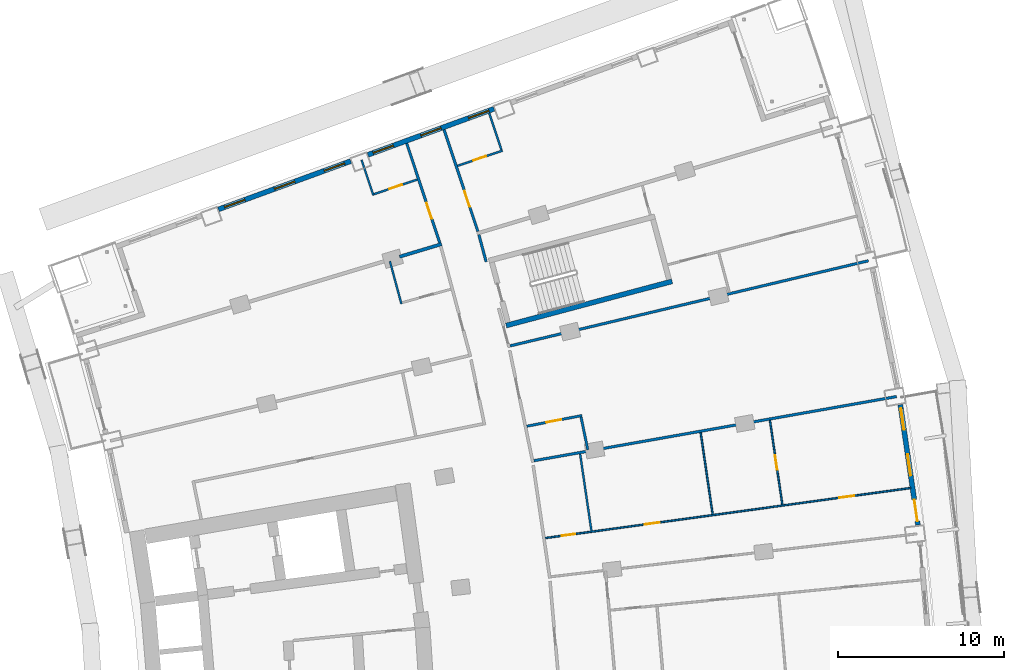
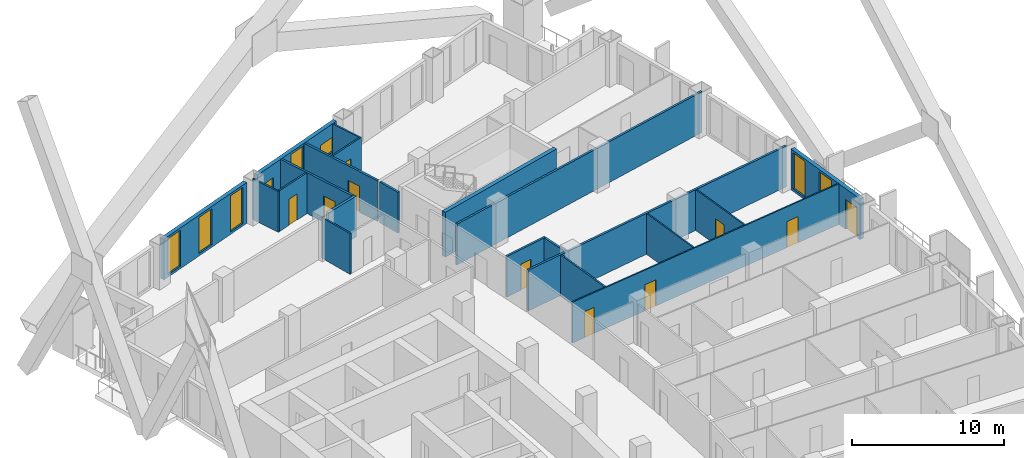
# One storey, part 20 of 25: 21 walls, 10 doors, 8 windows, 18 openings.
"""IFC4 building model written with IfcOpenShell, lengths in metres."""

from ifc_helpers import new_model, si_unit, direction, frame, frame_2d, origin, place, context, subcontext, project, spatial, rectangle, extrude, material, layer, layer_set, type_object, element, fill, save


model = new_model("IFC4")

# Units and contexts
model_context = context("Model", 3, precision=1e-05, world=origin(), true_north=direction((0.0, 1.0)))
body_context = subcontext(model_context, "Body", "Model", "MODEL_VIEW")
ifc_project = project(units=[si_unit("LENGTHUNIT", "METRE"), si_unit("AREAUNIT", "SQUARE_METRE"), si_unit("VOLUMEUNIT", "CUBIC_METRE"), si_unit("PLANEANGLEUNIT", "RADIAN"), si_unit("MASSUNIT", "GRAM", prefix="KILO")], contexts=[model_context])

# Site, building, storey
site_placement = place(None, origin())
site = spatial("IfcSite", under=ifc_project, at=site_placement, CompositionType="ELEMENT")
building_placement = place(site_placement, origin())
building = spatial("IfcBuilding", under=site, at=building_placement, Name="Alderwake Tower", CompositionType="ELEMENT")
storey_placement = place(building_placement, frame((0.0, 0.0, 32.0)))
storey = spatial("IfcBuildingStorey", under=building, at=storey_placement, Name="L06", CompositionType="ELEMENT", Elevation=32.0)

# Wall
ifc_material_1 = material(Name="Concrete C70/85", Category="concrete")
ifc_layer_1 = layer(ifc_material_1, 0.300048828125)
ifc_layer_set_1 = layer_set([ifc_layer_1], Name="Core wall stair enclosure 300 C70-85")
wall_type_1 = type_object("IfcWallType", Name="Core wall stair enclosure 300 C70-85", PredefinedType="SHEAR", material=ifc_layer_set_1)
wall_1_placement = place(storey_placement, frame((37.75390625, 90.268798828125, 0.0), z_axis=(0.0, 0.0, 1.0), x_axis=(0.966309214305, 0.257383958996, 0.0)))
element("IfcWall", 1, at=wall_1_placement, inside=storey, type_object=wall_type_1, Name="Core wall CW.084", PredefinedType="SHEAR", context=body_context, shape_type="SweptSolid", body=[
    extrude(rectangle(XDim=10.360107421875, YDim=0.300048828125, at=frame_2d((5.18017578125, 0.0))), origin(), (0.0, 0.0, 1.0), 3.60009765625),
])

# Wall, opening, door
ifc_material_2 = material(Name="Gypsum board on metal studs, rated")
ifc_layer_2 = layer(ifc_material_2, 0.159912109375)
ifc_layer_set_2 = layer_set([ifc_layer_2], Name="Corridor wall 160")
wall_type_2 = type_object("IfcWallType", Name="Corridor wall 160", PredefinedType="PARTITIONING", material=ifc_layer_set_2)
wall_2_placement = place(storey_placement, frame((33.75146484375, 95.2548828125, 0.0), z_axis=(0.0, 0.0, 1.0), x_axis=(-0.315406156735, 0.948956772616, 0.0)))
wall_2 = element("IfcWall", 2, at=wall_2_placement, inside=storey, type_object=wall_type_2, Name="WL/L06/W20", PredefinedType="PARTITIONING", context=body_context, shape_type="SweptSolid", body=[
    extrude(rectangle(XDim=6.330078125, YDim=0.159912109375, at=frame_2d((3.1650390625, 0.0))), origin(), (0.0, 0.0, 1.0), 3.280029296875),
])
opening_1_placement = place(wall_2_placement, frame((1.529052734375, 0.0, 0.0)))
opening_1 = element("IfcOpeningElement", 3, at=opening_1_placement, cuts=wall_2, Name="Opening R01-U13.1", PredefinedType="OPENING", context=body_context, shape_type="SweptSolid", body=[
    extrude(rectangle(XDim=1.0, YDim=2.10009765625, at=frame_2d((0.5, 1.050048828125))), frame((0.0, 0.08984375, 0.0), z_axis=(0.0, -1.0, 0.0), x_axis=(1.0, 0.0, 0.0)), (0.0, 0.0, 1.0), 0.179931640625),
])
ifc_material_3 = material(Name="Solid timber leaf in steel frame", Category="steel")
door_type_1 = type_object("IfcDoorType", Name="Flat entrance door 1000 fire-rated", OperationType="SINGLE_SWING_LEFT", PredefinedType="DOOR", material=ifc_material_3)
door_1_placement = place(opening_1_placement, origin())
door_1 = element("IfcDoor", 4, at=door_1_placement, inside=storey, type_object=door_type_1, Name="DR/L06/U13.1", OperationType="SINGLE_SWING_LEFT", OverallHeight=2.10009765625, OverallWidth=1.0, PredefinedType="DOOR", context=body_context, shape_type="SweptSolid", body=[
    extrude(rectangle(XDim=1.0, YDim=2.10009765625, at=frame_2d((0.5, 1.050048828125))), frame((0.0, 0.02490234375, 0.0), z_axis=(0.0, -1.0, 0.0), x_axis=(1.0, 0.0, 0.0)), (0.0, 0.0, 1.0), 0.050048828125),
])
fill(opening_1, door_1)

wall_3_placement = place(storey_placement, frame((34.010986328125, 102.083984375, 0.0), z_axis=(0.0, 0.0, 1.0), x_axis=(0.315140606423, -0.949044992708, 0.0)))
wall_3 = element("IfcWall", 5, at=wall_3_placement, inside=storey, type_object=wall_type_2, Name="WL/L06/W28", PredefinedType="PARTITIONING", context=body_context, shape_type="SweptSolid", body=[
    extrude(rectangle(XDim=6.46875, YDim=0.159912109375, at=frame_2d((3.234375, 0.0))), origin(), (0.0, 0.0, 1.0), 3.280029296875),
])
opening_2_placement = place(wall_3_placement, frame((3.897705078125, 0.0, 0.0)))
opening_2 = element("IfcOpeningElement", 6, at=opening_2_placement, cuts=wall_3, Name="Opening R01-U04.1", PredefinedType="OPENING", context=body_context, shape_type="SweptSolid", body=[
    extrude(rectangle(XDim=1.0, YDim=2.10009765625, at=frame_2d((0.5, 1.050048828125))), frame((0.0, 0.08984375, 0.0), z_axis=(0.0, -1.0, 0.0), x_axis=(1.0, 0.0, 0.0)), (0.0, 0.0, 1.0), 0.179931640625),
])
door_2_placement = place(opening_2_placement, origin())
door_2 = element("IfcDoor", 7, at=door_2_placement, inside=storey, type_object=door_type_1, Name="DR/L06/U04.1", OperationType="SINGLE_SWING_LEFT", OverallHeight=2.10009765625, OverallWidth=1.0, PredefinedType="DOOR", context=body_context, shape_type="SweptSolid", body=[
    extrude(rectangle(XDim=1.0, YDim=2.10009765625, at=frame_2d((0.5, 1.050048828125))), frame((0.0, 0.02490234375, 0.0), z_axis=(0.0, -1.0, 0.0), x_axis=(1.0, 0.0, 0.0)), (0.0, 0.0, 1.0), 0.050048828125),
])
fill(opening_2, door_2)

# Walls
wall_4_placement = place(storey_placement, frame((36.549072265625, 94.110107421875, 0.0), z_axis=(0.0, 0.0, 1.0), x_axis=(-0.259813977097, 0.965658685719, 0.0)))
element("IfcWall", 8, at=wall_4_placement, inside=storey, type_object=wall_type_2, Name="WL/L06/W31", PredefinedType="PARTITIONING", context=body_context, shape_type="SweptSolid", body=[
    extrude(rectangle(XDim=1.70166015625, YDim=0.159912109375, at=frame_2d((0.850830078125, 0.0))), origin(), (0.0, 0.0, 1.0), 3.280029296875),
])
wall_5_placement = place(storey_placement, frame((37.994873046875, 89.04345703125, 0.0), z_axis=(0.0, 0.0, 1.0), x_axis=(0.972917524401, 0.231152526947, 0.0)))
element("IfcWall", 9, at=wall_5_placement, inside=storey, type_object=wall_type_2, Name="WL/L06/W35", PredefinedType="PARTITIONING", context=body_context, shape_type="SweptSolid", body=[
    extrude(rectangle(XDim=22.217041015625, YDim=0.159912109375, at=frame_2d((11.1083984375, 0.0))), origin(), (0.0, 0.0, 1.0), 3.280029296875),
])
wall_6_placement = place(storey_placement, frame((61.30810546875, 85.986083984375, 0.0), z_axis=(0.0, 0.0, 1.0), x_axis=(-0.984708919739, -0.174207759259, 0.0)))
element("IfcWall", 10, at=wall_6_placement, inside=storey, type_object=wall_type_2, Name="WL/L06/W43", PredefinedType="PARTITIONING", context=body_context, shape_type="SweptSolid", body=[
    extrude(rectangle(XDim=22.22119140625, YDim=0.159912109375, at=frame_2d((11.110595703125, 0.0))), origin(), (0.0, 0.0, 1.0), 3.280029296875),
])

# Wall, openings, door, windows
ifc_material_4 = material(Name="Precast concrete C50/60 spandrel panel", Category="concrete")
ifc_layer_3 = layer(ifc_material_4, 0.300048828125)
ifc_layer_set_3 = layer_set([ifc_layer_3], Name="External wall EW1 Precast concrete C50/60 spandrel")
wall_type_3 = type_object("IfcWallType", Name="External wall EW1 Precast concrete C50/60 spandrel", PredefinedType="SOLIDWALL", material=ifc_layer_set_3)
wall_7_placement = place(storey_placement, frame((62.59716796875, 78.240234375, 0.0), z_axis=(0.0, 0.0, 1.0), x_axis=(-0.145300273639, 0.989387603763, 0.0)))
wall_7 = element("IfcWall", 11, at=wall_7_placement, inside=storey, type_object=wall_type_3, Name="External wall 19", PredefinedType="SOLIDWALL", context=body_context, shape_type="SweptSolid", body=[
    extrude(rectangle(XDim=7.329345703125, YDim=0.300048828125, at=frame_2d((3.66455078125, 0.0))), origin(), (0.0, 0.0, 1.0), 3.280029296875),
])
opening_3_placement = place(wall_7_placement, frame((0.226806640625, 0.0, 0.0)))
opening_3 = element("IfcOpeningElement", 12, at=opening_3_placement, cuts=wall_7, Name="Opening D10", PredefinedType="OPENING", context=body_context, shape_type="SweptSolid", body=[
    extrude(rectangle(XDim=1.300048828125, YDim=2.39990234375, at=frame_2d((0.64990234375, 1.199951171875))), frame((0.0, 0.159912109375, 0.0), z_axis=(0.0, -1.0, 0.0), x_axis=(1.0, 0.0, 0.0)), (0.0, 0.0, 1.0), 0.320068359375),
])
opening_4_placement = place(wall_7_placement, frame((3.0146484375, 0.0, 0.199951171875)))
opening_4 = element("IfcOpeningElement", 13, at=opening_4_placement, cuts=wall_7, Name="Opening W1", PredefinedType="OPENING", context=body_context, shape_type="SweptSolid", body=[
    extrude(rectangle(XDim=1.300048828125, YDim=2.89990234375, at=frame_2d((0.64990234375, 1.449951171875))), frame((0.0, 0.159912109375, 0.0), z_axis=(0.0, -1.0, 0.0), x_axis=(1.0, 0.0, 0.0)), (0.0, 0.0, 1.0), 0.320068359375),
])
opening_5_placement = place(wall_7_placement, frame((5.802490234375, 0.0, 0.199951171875)))
opening_5 = element("IfcOpeningElement", 14, at=opening_5_placement, cuts=wall_7, Name="Opening W1", PredefinedType="OPENING", context=body_context, shape_type="SweptSolid", body=[
    extrude(rectangle(XDim=1.300048828125, YDim=2.89990234375, at=frame_2d((0.64990234375, 1.449951171875))), frame((0.0, 0.159912109375, 0.0), z_axis=(0.0, -1.0, 0.0), x_axis=(1.0, 0.0, 0.0)), (0.0, 0.0, 1.0), 0.320068359375),
])
ifc_material_5 = material(Name="Bronze tinted glass in aluminium frame", Category="aluminium")
door_type_2 = type_object("IfcDoorType", Name="Balcony door BD sliding", OperationType="SLIDING_TO_LEFT", PredefinedType="DOOR", material=ifc_material_5)
door_3_placement = place(opening_3_placement, origin())
door_3 = element("IfcDoor", 15, at=door_3_placement, inside=storey, type_object=door_type_2, Name="Door D10", OperationType="SLIDING_TO_LEFT", OverallHeight=2.39990234375, OverallWidth=1.300048828125, PredefinedType="DOOR", context=body_context, shape_type="SweptSolid", body=[
    extrude(rectangle(XDim=1.300048828125, YDim=2.39990234375, at=frame_2d((0.64990234375, 1.199951171875))), frame((0.0, 0.02490234375, 0.0), z_axis=(0.0, -1.0, 0.0), x_axis=(1.0, 0.0, 0.0)), (0.0, 0.0, 1.0), 0.050048828125),
])
fill(opening_3, door_3)
ifc_material_6 = material(Name="Bronze tinted glass in aluminium frame", Category="aluminium")
window_type_1 = type_object("IfcWindowType", Name="Window W1 tall fixed and vent", PartitioningType="DOUBLE_PANEL_VERTICAL", PredefinedType="WINDOW", material=ifc_material_6)
window_1_placement = place(opening_4_placement, origin())
window_1 = element("IfcWindow", 16, at=window_1_placement, inside=storey, type_object=window_type_1, Name="Window W1 tall fixed and vent", OverallHeight=2.89990234375, OverallWidth=1.300048828125, PartitioningType="DOUBLE_PANEL_VERTICAL", PredefinedType="WINDOW", context=body_context, shape_type="SweptSolid", body=[
    extrude(rectangle(XDim=1.300048828125, YDim=2.89990234375, at=frame_2d((0.64990234375, 1.449951171875))), frame((0.0, 0.030029296875, 0.0), z_axis=(0.0, -1.0, 0.0), x_axis=(1.0, 0.0, 0.0)), (0.0, 0.0, 1.0), 0.06005859375),
])
fill(opening_4, window_1)
window_2_placement = place(opening_5_placement, origin())
window_2 = element("IfcWindow", 17, at=window_2_placement, inside=storey, type_object=window_type_1, Name="Window W1 tall fixed and vent", OverallHeight=2.89990234375, OverallWidth=1.300048828125, PartitioningType="DOUBLE_PANEL_VERTICAL", PredefinedType="WINDOW", context=body_context, shape_type="SweptSolid", body=[
    extrude(rectangle(XDim=1.300048828125, YDim=2.89990234375, at=frame_2d((0.64990234375, 1.449951171875))), frame((0.0, 0.030029296875, 0.0), z_axis=(0.0, -1.0, 0.0), x_axis=(1.0, 0.0, 0.0)), (0.0, 0.0, 1.0), 0.06005859375),
])
fill(opening_5, window_2)

# Wall, openings, windows
ifc_material_7 = material(Name="Bronze metal cladding on lightweight framing")
ifc_layer_4 = layer(ifc_material_7, 0.300048828125)
ifc_layer_set_4 = layer_set([ifc_layer_4], Name="External wall EW2 bronze metal cladding")
wall_type_4 = type_object("IfcWallType", Name="External wall EW2 bronze metal cladding", PredefinedType="SOLIDWALL", material=ifc_layer_set_4)
wall_8_placement = place(storey_placement, frame((37.021484375, 103.343505859375, 0.0), z_axis=(0.0, 0.0, 1.0), x_axis=(-0.939375360712, -0.34289055351, 0.0)))
wall_8 = element("IfcWall", 18, at=wall_8_placement, inside=storey, type_object=wall_type_4, Name="External wall 27", PredefinedType="SOLIDWALL", context=body_context, shape_type="SweptSolid", body=[
    extrude(rectangle(XDim=8.095458984375, YDim=0.300048828125, at=frame_2d((4.0478515625, 0.0))), origin(), (0.0, 0.0, 1.0), 3.280029296875),
])
opening_6_placement = place(wall_8_placement, frame((0.331298828125, 0.0, 1.0)))
opening_6 = element("IfcOpeningElement", 19, at=opening_6_placement, cuts=wall_8, Name="Opening W2", PredefinedType="OPENING", context=body_context, shape_type="SweptSolid", body=[
    extrude(rectangle(XDim=1.300048828125, YDim=1.199951171875, at=frame_2d((0.64990234375, 0.60009765625))), frame((0.0, 0.159912109375, 0.0), z_axis=(0.0, -1.0, 0.0), x_axis=(1.0, 0.0, 0.0)), (0.0, 0.0, 1.0), 0.320068359375),
])
opening_7_placement = place(wall_8_placement, frame((3.39794921875, 0.0, 0.199951171875)))
opening_7 = element("IfcOpeningElement", 20, at=opening_7_placement, cuts=wall_8, Name="Opening W1", PredefinedType="OPENING", context=body_context, shape_type="SweptSolid", body=[
    extrude(rectangle(XDim=1.300048828125, YDim=2.89990234375, at=frame_2d((0.64990234375, 1.449951171875))), frame((0.0, 0.159912109375, 0.0), z_axis=(0.0, -1.0, 0.0), x_axis=(1.0, 0.0, 0.0)), (0.0, 0.0, 1.0), 0.320068359375),
])
opening_8_placement = place(wall_8_placement, frame((6.464599609375, 0.0, 1.0)))
opening_8 = element("IfcOpeningElement", 21, at=opening_8_placement, cuts=wall_8, Name="Opening W2", PredefinedType="OPENING", context=body_context, shape_type="SweptSolid", body=[
    extrude(rectangle(XDim=1.300048828125, YDim=1.199951171875, at=frame_2d((0.64990234375, 0.60009765625))), frame((0.0, 0.159912109375, 0.0), z_axis=(0.0, -1.0, 0.0), x_axis=(1.0, 0.0, 0.0)), (0.0, 0.0, 1.0), 0.320068359375),
])
window_3_placement = place(opening_7_placement, origin())
window_3 = element("IfcWindow", 22, at=window_3_placement, inside=storey, type_object=window_type_1, Name="Window W1 tall fixed and vent", OverallHeight=2.89990234375, OverallWidth=1.300048828125, PartitioningType="DOUBLE_PANEL_VERTICAL", PredefinedType="WINDOW", context=body_context, shape_type="SweptSolid", body=[
    extrude(rectangle(XDim=1.300048828125, YDim=2.89990234375, at=frame_2d((0.64990234375, 1.449951171875))), frame((0.0, 0.030029296875, 0.0), z_axis=(0.0, -1.0, 0.0), x_axis=(1.0, 0.0, 0.0)), (0.0, 0.0, 1.0), 0.06005859375),
])
fill(opening_7, window_3)
ifc_material_8 = material(Name="Bronze tinted glass in aluminium frame", Category="aluminium")
window_type_2 = type_object("IfcWindowType", Name="Window W2 kitchen and bath", PartitioningType="SINGLE_PANEL", PredefinedType="WINDOW", material=ifc_material_8)
window_4_placement = place(opening_6_placement, origin())
window_4 = element("IfcWindow", 23, at=window_4_placement, inside=storey, type_object=window_type_2, Name="Window W2 kitchen and bath", OverallHeight=1.199951171875, OverallWidth=1.300048828125, PartitioningType="SINGLE_PANEL", PredefinedType="WINDOW", context=body_context, shape_type="SweptSolid", body=[
    extrude(rectangle(XDim=1.300048828125, YDim=1.199951171875, at=frame_2d((0.64990234375, 0.60009765625))), frame((0.0, 0.030029296875, 0.0), z_axis=(0.0, -1.0, 0.0), x_axis=(1.0, 0.0, 0.0)), (0.0, 0.0, 1.0), 0.06005859375),
])
fill(opening_6, window_4)
window_5_placement = place(opening_8_placement, origin())
window_5 = element("IfcWindow", 24, at=window_5_placement, inside=storey, type_object=window_type_2, Name="Window W2 kitchen and bath", OverallHeight=1.199951171875, OverallWidth=1.300048828125, PartitioningType="SINGLE_PANEL", PredefinedType="WINDOW", context=body_context, shape_type="SweptSolid", body=[
    extrude(rectangle(XDim=1.300048828125, YDim=1.199951171875, at=frame_2d((0.64990234375, 0.60009765625))), frame((0.0, 0.030029296875, 0.0), z_axis=(0.0, -1.0, 0.0), x_axis=(1.0, 0.0, 0.0)), (0.0, 0.0, 1.0), 0.06005859375),
])
fill(opening_8, window_5)

wall_9_placement = place(storey_placement, frame((28.37890625, 100.18896484375, 0.0), z_axis=(0.0, 0.0, 1.0), x_axis=(-0.939369809957, -0.342905759856, 0.0)))
wall_9 = element("IfcWall", 25, at=wall_9_placement, inside=storey, type_object=wall_type_4, Name="External wall 28", PredefinedType="SOLIDWALL", context=body_context, shape_type="SweptSolid", body=[
    extrude(rectangle(XDim=8.495361328125, YDim=0.300048828125, at=frame_2d((4.24755859375, 0.0))), origin(), (0.0, 0.0, 1.0), 3.280029296875),
])
opening_9_placement = place(wall_9_placement, frame((0.397705078125, 0.0, 0.199951171875)))
opening_9 = element("IfcOpeningElement", 26, at=opening_9_placement, cuts=wall_9, Name="Opening W1", PredefinedType="OPENING", context=body_context, shape_type="SweptSolid", body=[
    extrude(rectangle(XDim=1.300048828125, YDim=2.89990234375, at=frame_2d((0.64990234375, 1.449951171875))), frame((0.0, 0.159912109375, 0.0), z_axis=(0.0, -1.0, 0.0), x_axis=(1.0, 0.0, 0.0)), (0.0, 0.0, 1.0), 0.320068359375),
])
opening_10_placement = place(wall_9_placement, frame((3.59765625, 0.0, 0.199951171875)))
opening_10 = element("IfcOpeningElement", 27, at=opening_10_placement, cuts=wall_9, Name="Opening W1", PredefinedType="OPENING", context=body_context, shape_type="SweptSolid", body=[
    extrude(rectangle(XDim=1.300048828125, YDim=2.89990234375, at=frame_2d((0.64990234375, 1.449951171875))), frame((0.0, 0.159912109375, 0.0), z_axis=(0.0, -1.0, 0.0), x_axis=(1.0, 0.0, 0.0)), (0.0, 0.0, 1.0), 0.320068359375),
])
opening_11_placement = place(wall_9_placement, frame((6.7978515625, 0.0, 0.199951171875)))
opening_11 = element("IfcOpeningElement", 28, at=opening_11_placement, cuts=wall_9, Name="Opening W1", PredefinedType="OPENING", context=body_context, shape_type="SweptSolid", body=[
    extrude(rectangle(XDim=1.300048828125, YDim=2.89990234375, at=frame_2d((0.64990234375, 1.449951171875))), frame((0.0, 0.159912109375, 0.0), z_axis=(0.0, -1.0, 0.0), x_axis=(1.0, 0.0, 0.0)), (0.0, 0.0, 1.0), 0.320068359375),
])
window_6_placement = place(opening_9_placement, origin())
window_6 = element("IfcWindow", 29, at=window_6_placement, inside=storey, type_object=window_type_1, Name="Window W1 tall fixed and vent", OverallHeight=2.89990234375, OverallWidth=1.300048828125, PartitioningType="DOUBLE_PANEL_VERTICAL", PredefinedType="WINDOW", context=body_context, shape_type="SweptSolid", body=[
    extrude(rectangle(XDim=1.300048828125, YDim=2.89990234375, at=frame_2d((0.64990234375, 1.449951171875))), frame((0.0, 0.030029296875, 0.0), z_axis=(0.0, -1.0, 0.0), x_axis=(1.0, 0.0, 0.0)), (0.0, 0.0, 1.0), 0.06005859375),
])
fill(opening_9, window_6)
window_7_placement = place(opening_10_placement, origin())
window_7 = element("IfcWindow", 30, at=window_7_placement, inside=storey, type_object=window_type_1, Name="Window W1 tall fixed and vent", OverallHeight=2.89990234375, OverallWidth=1.300048828125, PartitioningType="DOUBLE_PANEL_VERTICAL", PredefinedType="WINDOW", context=body_context, shape_type="SweptSolid", body=[
    extrude(rectangle(XDim=1.300048828125, YDim=2.89990234375, at=frame_2d((0.64990234375, 1.449951171875))), frame((0.0, 0.030029296875, 0.0), z_axis=(0.0, -1.0, 0.0), x_axis=(1.0, 0.0, 0.0)), (0.0, 0.0, 1.0), 0.06005859375),
])
fill(opening_10, window_7)
window_8_placement = place(opening_11_placement, origin())
window_8 = element("IfcWindow", 31, at=window_8_placement, inside=storey, type_object=window_type_1, Name="Window W1 tall fixed and vent", OverallHeight=2.89990234375, OverallWidth=1.300048828125, PartitioningType="DOUBLE_PANEL_VERTICAL", PredefinedType="WINDOW", context=body_context, shape_type="SweptSolid", body=[
    extrude(rectangle(XDim=1.300048828125, YDim=2.89990234375, at=frame_2d((0.64990234375, 1.449951171875))), frame((0.0, 0.030029296875, 0.0), z_axis=(0.0, -1.0, 0.0), x_axis=(1.0, 0.0, 0.0)), (0.0, 0.0, 1.0), 0.06005859375),
])
fill(opening_11, window_8)

# Wall
ifc_material_9 = material(Name="Dense block masonry wall", Category="masonry")
ifc_layer_5 = layer(ifc_material_9, 0.199951171875)
ifc_layer_set_5 = layer_set([ifc_layer_5], Name="Party wall 200")
wall_type_5 = type_object("IfcWallType", Name="Party wall 200", PredefinedType="SOLIDWALL", material=ifc_layer_set_5)
wall_10_placement = place(storey_placement, frame((33.859619140625, 95.18310546875, 0.0), z_axis=(0.0, 0.0, 1.0), x_axis=(-0.957762803886, -0.287559405153, 0.0)))
element("IfcWall", 32, at=wall_10_placement, inside=storey, type_object=wall_type_5, Name="WL/L06/W04", PredefinedType="SOLIDWALL", context=body_context, shape_type="SweptSolid", body=[
    extrude(rectangle(XDim=2.647216796875, YDim=0.199951171875, at=frame_2d((1.32373046875, 0.0))), origin(), (0.0, 0.0, 1.0), 3.280029296875),
])

# Wall, opening, door
ifc_material_10 = material(Name="Gypsum shaft wall system, rated")
ifc_layer_6 = layer(ifc_material_10, 0.14990234375)
ifc_layer_set_6 = layer_set([ifc_layer_6], Name="Riser and shaft wall 150")
wall_type_6 = type_object("IfcWallType", Name="Riser and shaft wall 150", PredefinedType="PARTITIONING", material=ifc_layer_set_6)
wall_11_placement = place(storey_placement, frame((42.32861328125, 84.84228515625, 0.0), z_axis=(0.0, 0.0, 1.0), x_axis=(-0.981655808185, -0.190661674853, 0.0)))
wall_11 = element("IfcWall", 33, at=wall_11_placement, inside=storey, type_object=wall_type_6, Name="WL/L06/W14", PredefinedType="PARTITIONING", context=body_context, shape_type="SweptSolid", body=[
    extrude(rectangle(XDim=3.393310546875, YDim=0.14990234375, at=frame_2d((1.69677734375, 0.0))), origin(), (0.0, 0.0, 1.0), 3.280029296875),
])
opening_12_placement = place(wall_11_placement, frame((1.2841796875, 0.0, 0.0)))
opening_12 = element("IfcOpeningElement", 34, at=opening_12_placement, cuts=wall_11, Name="Opening R01-AM1.2", PredefinedType="OPENING", context=body_context, shape_type="SweptSolid", body=[
    extrude(rectangle(XDim=0.89990234375, YDim=2.10009765625, at=frame_2d((0.449951171875, 1.050048828125))), frame((0.0, 0.0849609375, 0.0), z_axis=(0.0, -1.0, 0.0), x_axis=(1.0, 0.0, 0.0)), (0.0, 0.0, 1.0), 0.169921875),
])
ifc_material_11 = material(Name="Painted timber leaf", Category="wood")
door_type_3 = type_object("IfcDoorType", Name="Room door 900", OperationType="SINGLE_SWING_LEFT", PredefinedType="DOOR", material=ifc_material_11)
door_4_placement = place(opening_12_placement, origin())
door_4 = element("IfcDoor", 35, at=door_4_placement, inside=storey, type_object=door_type_3, Name="DR/L06/AM1.2", OperationType="SINGLE_SWING_LEFT", OverallHeight=2.10009765625, OverallWidth=0.89990234375, PredefinedType="DOOR", context=body_context, shape_type="SweptSolid", body=[
    extrude(rectangle(XDim=0.89990234375, YDim=2.10009765625, at=frame_2d((0.449951171875, 1.050048828125))), frame((0.0, 0.02490234375, 0.0), z_axis=(0.0, -1.0, 0.0), x_axis=(1.0, 0.0, 0.0)), (0.0, 0.0, 1.0), 0.050048828125),
])
fill(opening_12, door_4)

# Wall
wall_12_placement = place(storey_placement, frame((42.6796875, 82.7734375, 0.0), z_axis=(0.0, 0.0, 1.0), x_axis=(-0.202402059343, 0.979302510144, 0.0)))
element("IfcWall", 36, at=wall_12_placement, inside=storey, type_object=wall_type_6, Name="WL/L06/W15", PredefinedType="PARTITIONING", context=body_context, shape_type="SweptSolid", body=[
    extrude(rectangle(XDim=2.022705078125, YDim=0.14990234375, at=frame_2d((1.01123046875, 0.0))), origin(), (0.0, 0.0, 1.0), 3.280029296875),
])

# Wall, openings, doors
ifc_material_12 = material(Name="Gypsum board on metal studs")
ifc_layer_7 = layer(ifc_material_12, 0.10009765625)
ifc_layer_set_7 = layer_set([ifc_layer_7], Name="Unit partition 100")
wall_type_7 = type_object("IfcWallType", Name="Unit partition 100", PredefinedType="PARTITIONING", material=ifc_layer_set_7)
wall_13_placement = place(storey_placement, frame((40.1142578125, 77.449951171875, 0.0), z_axis=(0.0, 0.0, 1.0), x_axis=(0.990742667714, 0.135753329137, 0.0)))
wall_13 = element("IfcWall", 37, at=wall_13_placement, inside=storey, type_object=wall_type_7, Name="WL/L06/W68", PredefinedType="PARTITIONING", context=body_context, shape_type="SweptSolid", body=[
    extrude(rectangle(XDim=22.2607421875, YDim=0.10009765625, at=frame_2d((11.13037109375, 0.0))), origin(), (0.0, 0.0, 1.0), 3.280029296875),
])
opening_13_placement = place(wall_13_placement, frame((6.0576171875, 0.0, 0.0)))
opening_13 = element("IfcOpeningElement", 38, at=opening_13_placement, cuts=wall_13, Name="Opening R01-U09.6", PredefinedType="OPENING", context=body_context, shape_type="SweptSolid", body=[
    extrude(rectangle(XDim=0.89990234375, YDim=2.10009765625, at=frame_2d((0.449951171875, 1.050048828125))), frame((0.0, 0.06005859375, 0.0), z_axis=(0.0, -1.0, 0.0), x_axis=(1.0, 0.0, 0.0)), (0.0, 0.0, 1.0), 0.1201171875),
])
opening_14_placement = place(wall_13_placement, frame((1.0087890625, 0.0, 0.0)))
opening_14 = element("IfcOpeningElement", 39, at=opening_14_placement, cuts=wall_13, Name="Opening R01-U09.7", PredefinedType="OPENING", context=body_context, shape_type="SweptSolid", body=[
    extrude(rectangle(XDim=0.800048828125, YDim=2.10009765625, at=frame_2d((0.39990234375, 1.050048828125))), frame((0.0, 0.06005859375, 0.0), z_axis=(0.0, -1.0, 0.0), x_axis=(1.0, 0.0, 0.0)), (0.0, 0.0, 1.0), 0.1201171875),
])
opening_15_placement = place(wall_13_placement, frame((17.901123046875, 0.0, 0.0)))
opening_15 = element("IfcOpeningElement", 40, at=opening_15_placement, cuts=wall_13, Name="Opening R01-U09.8", PredefinedType="OPENING", context=body_context, shape_type="SweptSolid", body=[
    extrude(rectangle(XDim=0.89990234375, YDim=2.10009765625, at=frame_2d((0.449951171875, 1.050048828125))), frame((0.0, 0.06005859375, 0.0), z_axis=(0.0, -1.0, 0.0), x_axis=(1.0, 0.0, 0.0)), (0.0, 0.0, 1.0), 0.1201171875),
])
ifc_material_13 = material(Name="Painted timber leaf", Category="wood")
door_type_4 = type_object("IfcDoorType", Name="Bathroom door 800", OperationType="SINGLE_SWING_LEFT", PredefinedType="DOOR", material=ifc_material_13)
door_5_placement = place(opening_14_placement, origin())
door_5 = element("IfcDoor", 41, at=door_5_placement, inside=storey, type_object=door_type_4, Name="DR/L06/U09.7", OperationType="SINGLE_SWING_LEFT", OverallHeight=2.10009765625, OverallWidth=0.800048828125, PredefinedType="DOOR", context=body_context, shape_type="SweptSolid", body=[
    extrude(rectangle(XDim=0.800048828125, YDim=2.10009765625, at=frame_2d((0.39990234375, 1.050048828125))), frame((0.0, 0.02490234375, 0.0), z_axis=(0.0, -1.0, 0.0), x_axis=(1.0, 0.0, 0.0)), (0.0, 0.0, 1.0), 0.050048828125),
])
fill(opening_14, door_5)
door_6_placement = place(opening_13_placement, origin())
door_6 = element("IfcDoor", 42, at=door_6_placement, inside=storey, type_object=door_type_3, Name="DR/L06/U09.6", OperationType="SINGLE_SWING_LEFT", OverallHeight=2.10009765625, OverallWidth=0.89990234375, PredefinedType="DOOR", context=body_context, shape_type="SweptSolid", body=[
    extrude(rectangle(XDim=0.89990234375, YDim=2.10009765625, at=frame_2d((0.449951171875, 1.050048828125))), frame((0.0, 0.02490234375, 0.0), z_axis=(0.0, -1.0, 0.0), x_axis=(1.0, 0.0, 0.0)), (0.0, 0.0, 1.0), 0.050048828125),
])
fill(opening_13, door_6)
door_7_placement = place(opening_15_placement, origin())
door_7 = element("IfcDoor", 43, at=door_7_placement, inside=storey, type_object=door_type_3, Name="DR/L06/U09.8", OperationType="SINGLE_SWING_LEFT", OverallHeight=2.10009765625, OverallWidth=0.89990234375, PredefinedType="DOOR", context=body_context, shape_type="SweptSolid", body=[
    extrude(rectangle(XDim=0.89990234375, YDim=2.10009765625, at=frame_2d((0.449951171875, 1.050048828125))), frame((0.0, 0.02490234375, 0.0), z_axis=(0.0, -1.0, 0.0), x_axis=(1.0, 0.0, 0.0)), (0.0, 0.0, 1.0), 0.050048828125),
])
fill(opening_15, door_7)

# Wall
wall_14_placement = place(storey_placement, frame((50.209716796875, 78.883544921875, 0.0), z_axis=(0.0, 0.0, 1.0), x_axis=(-0.144960667826, 0.989437418326, 0.0)))
element("IfcWall", 44, at=wall_14_placement, inside=storey, type_object=wall_type_7, Name="WL/L06/W78", PredefinedType="PARTITIONING", context=body_context, shape_type="SweptSolid", body=[
    extrude(rectangle(XDim=4.98193359375, YDim=0.10009765625, at=frame_2d((2.490966796875, 0.0))), origin(), (0.0, 0.0, 1.0), 3.280029296875),
])

# Wall, opening, door
wall_15_placement = place(storey_placement, frame((54.415771484375, 79.45947265625, 0.0), z_axis=(0.0, 0.0, 1.0), x_axis=(-0.145597790448, 0.989343865103, 0.0)))
wall_15 = element("IfcWall", 45, at=wall_15_placement, inside=storey, type_object=wall_type_7, Name="WL/L06/W86", PredefinedType="PARTITIONING", context=body_context, shape_type="SweptSolid", body=[
    extrude(rectangle(XDim=5.146240234375, YDim=0.10009765625, at=frame_2d((2.5732421875, 0.0))), origin(), (0.0, 0.0, 1.0), 3.280029296875),
])
opening_16_placement = place(wall_15_placement, frame((2.123046875, 0.0, 0.0)))
opening_16 = element("IfcOpeningElement", 46, at=opening_16_placement, cuts=wall_15, Name="Opening R01-U09.9", PredefinedType="OPENING", context=body_context, shape_type="SweptSolid", body=[
    extrude(rectangle(XDim=0.89990234375, YDim=2.10009765625, at=frame_2d((0.449951171875, 1.050048828125))), frame((0.0, 0.06005859375, 0.0), z_axis=(0.0, -1.0, 0.0), x_axis=(1.0, 0.0, 0.0)), (0.0, 0.0, 1.0), 0.1201171875),
])
door_8_placement = place(opening_16_placement, origin())
door_8 = element("IfcDoor", 47, at=door_8_placement, inside=storey, type_object=door_type_3, Name="DR/L06/U09.9", OperationType="SINGLE_SWING_LEFT", OverallHeight=2.10009765625, OverallWidth=0.89990234375, PredefinedType="DOOR", context=body_context, shape_type="SweptSolid", body=[
    extrude(rectangle(XDim=0.89990234375, YDim=2.10009765625, at=frame_2d((0.449951171875, 1.050048828125))), frame((0.0, 0.02490234375, 0.0), z_axis=(0.0, -1.0, 0.0), x_axis=(1.0, 0.0, 0.0)), (0.0, 0.0, 1.0), 0.050048828125),
])
fill(opening_16, door_8)

# Wall
ifc_material_14 = material(Name="Moisture resistant gypsum board on metal studs")
ifc_layer_8 = layer(ifc_material_14, 0.1201171875)
ifc_layer_set_8 = layer_set([ifc_layer_8], Name="Wet room partition 120")
wall_type_8 = type_object("IfcWallType", Name="Wet room partition 120", PredefinedType="PARTITIONING", material=ifc_layer_set_8)
wall_16_placement = place(storey_placement, frame((29.031005859375, 100.26611328125, 0.0), z_axis=(0.0, 0.0, 1.0), x_axis=(0.315774774353, -0.948834175123, 0.0)))
element("IfcWall", 48, at=wall_16_placement, inside=storey, type_object=wall_type_8, Name="WL/L06/W44", PredefinedType="PARTITIONING", context=body_context, shape_type="SweptSolid", body=[
    extrude(rectangle(XDim=2.263671875, YDim=0.1201171875, at=frame_2d((1.1318359375, 0.0))), origin(), (0.0, 0.0, 1.0), 3.280029296875),
])

# Wall, opening, door
wall_17_placement = place(storey_placement, frame((29.78369140625, 98.1943359375, 0.0), z_axis=(0.0, 0.0, 1.0), x_axis=(0.947131995712, 0.320844171989, 0.0)))
wall_17 = element("IfcWall", 49, at=wall_17_placement, inside=storey, type_object=wall_type_8, Name="WL/L06/W46", PredefinedType="PARTITIONING", context=body_context, shape_type="SweptSolid", body=[
    extrude(rectangle(XDim=2.75830078125, YDim=0.1201171875, at=frame_2d((1.379150390625, 0.0))), origin(), (0.0, 0.0, 1.0), 3.280029296875),
])
opening_17_placement = place(wall_17_placement, frame((0.97900390625, 0.0, 0.0)))
opening_17 = element("IfcOpeningElement", 50, at=opening_17_placement, cuts=wall_17, Name="Opening R01-U13.2", PredefinedType="OPENING", context=body_context, shape_type="SweptSolid", body=[
    extrude(rectangle(XDim=0.800048828125, YDim=2.10009765625, at=frame_2d((0.39990234375, 1.050048828125))), frame((0.0, 0.070068359375, 0.0), z_axis=(0.0, -1.0, 0.0), x_axis=(1.0, 0.0, 0.0)), (0.0, 0.0, 1.0), 0.14013671875),
])
door_9_placement = place(opening_17_placement, origin())
door_9 = element("IfcDoor", 51, at=door_9_placement, inside=storey, type_object=door_type_4, Name="DR/L06/U13.2", OperationType="SINGLE_SWING_LEFT", OverallHeight=2.10009765625, OverallWidth=0.800048828125, PredefinedType="DOOR", context=body_context, shape_type="SweptSolid", body=[
    extrude(rectangle(XDim=0.800048828125, YDim=2.10009765625, at=frame_2d((0.39990234375, 1.050048828125))), frame((0.0, 0.02490234375, 0.0), z_axis=(0.0, -1.0, 0.0), x_axis=(1.0, 0.0, 0.0)), (0.0, 0.0, 1.0), 0.050048828125),
])
fill(opening_17, door_9)

# Wall
wall_18_placement = place(storey_placement, frame((30.742919921875, 94.1455078125, 0.0), z_axis=(0.0, 0.0, 1.0), x_axis=(0.260032723084, -0.965599804746, 0.0)))
element("IfcWall", 52, at=wall_18_placement, inside=storey, type_object=wall_type_8, Name="WL/L06/W47", PredefinedType="PARTITIONING", context=body_context, shape_type="SweptSolid", body=[
    extrude(rectangle(XDim=2.659912109375, YDim=0.1201171875, at=frame_2d((1.330078125, 0.0))), origin(), (0.0, 0.0, 1.0), 3.280029296875),
])

# Wall, opening, door
wall_19_placement = place(storey_placement, frame((34.81884765625, 99.901611328125, 0.0), z_axis=(0.0, 0.0, 1.0), x_axis=(0.947119631015, 0.32088067026, 0.0)))
wall_19 = element("IfcWall", 53, at=wall_19_placement, inside=storey, type_object=wall_type_8, Name="WL/L06/W52", PredefinedType="PARTITIONING", context=body_context, shape_type="SweptSolid", body=[
    extrude(rectangle(XDim=2.878173828125, YDim=0.1201171875, at=frame_2d((1.43896484375, 0.0))), origin(), (0.0, 0.0, 1.0), 3.280029296875),
])
opening_18_placement = place(wall_19_placement, frame((1.009765625, 0.0, 0.0)))
opening_18 = element("IfcOpeningElement", 54, at=opening_18_placement, cuts=wall_19, Name="Opening R01-U04.2", PredefinedType="OPENING", context=body_context, shape_type="SweptSolid", body=[
    extrude(rectangle(XDim=0.800048828125, YDim=2.10009765625, at=frame_2d((0.39990234375, 1.050048828125))), frame((0.0, 0.070068359375, 0.0), z_axis=(0.0, -1.0, 0.0), x_axis=(1.0, 0.0, 0.0)), (0.0, 0.0, 1.0), 0.14013671875),
])
door_10_placement = place(opening_18_placement, origin())
door_10 = element("IfcDoor", 55, at=door_10_placement, inside=storey, type_object=door_type_4, Name="DR/L06/U04.2", OperationType="SINGLE_SWING_LEFT", OverallHeight=2.10009765625, OverallWidth=0.800048828125, PredefinedType="DOOR", context=body_context, shape_type="SweptSolid", body=[
    extrude(rectangle(XDim=0.800048828125, YDim=2.10009765625, at=frame_2d((0.39990234375, 1.050048828125))), frame((0.0, 0.02490234375, 0.0), z_axis=(0.0, -1.0, 0.0), x_axis=(1.0, 0.0, 0.0)), (0.0, 0.0, 1.0), 0.050048828125),
])
fill(opening_18, door_10)

# Walls
wall_20_placement = place(storey_placement, frame((37.468994140625, 100.863037109375, 0.0), z_axis=(0.0, 0.0, 1.0), x_axis=(-0.314251248963, 0.94933985091, 0.0)))
element("IfcWall", 56, at=wall_20_placement, inside=storey, type_object=wall_type_8, Name="WL/L06/W55", PredefinedType="PARTITIONING", context=body_context, shape_type="SweptSolid", body=[
    extrude(rectangle(XDim=2.33544921875, YDim=0.1201171875, at=frame_2d((1.167724609375, 0.0))), origin(), (0.0, 0.0, 1.0), 3.280029296875),
])
wall_21_placement = place(storey_placement, frame((42.898681640625, 77.881591796875, 0.0), z_axis=(0.0, 0.0, 1.0), x_axis=(-0.145429646978, 0.989368595509, 0.0)))
element("IfcWall", 57, at=wall_21_placement, inside=storey, type_object=wall_type_8, Name="WL/L06/W58", PredefinedType="PARTITIONING", context=body_context, shape_type="SweptSolid", body=[
    extrude(rectangle(XDim=4.697265625, YDim=0.1201171875, at=frame_2d((2.3486328125, 0.0))), origin(), (0.0, 0.0, 1.0), 3.280029296875),
])

save(model, "model.ifc")
